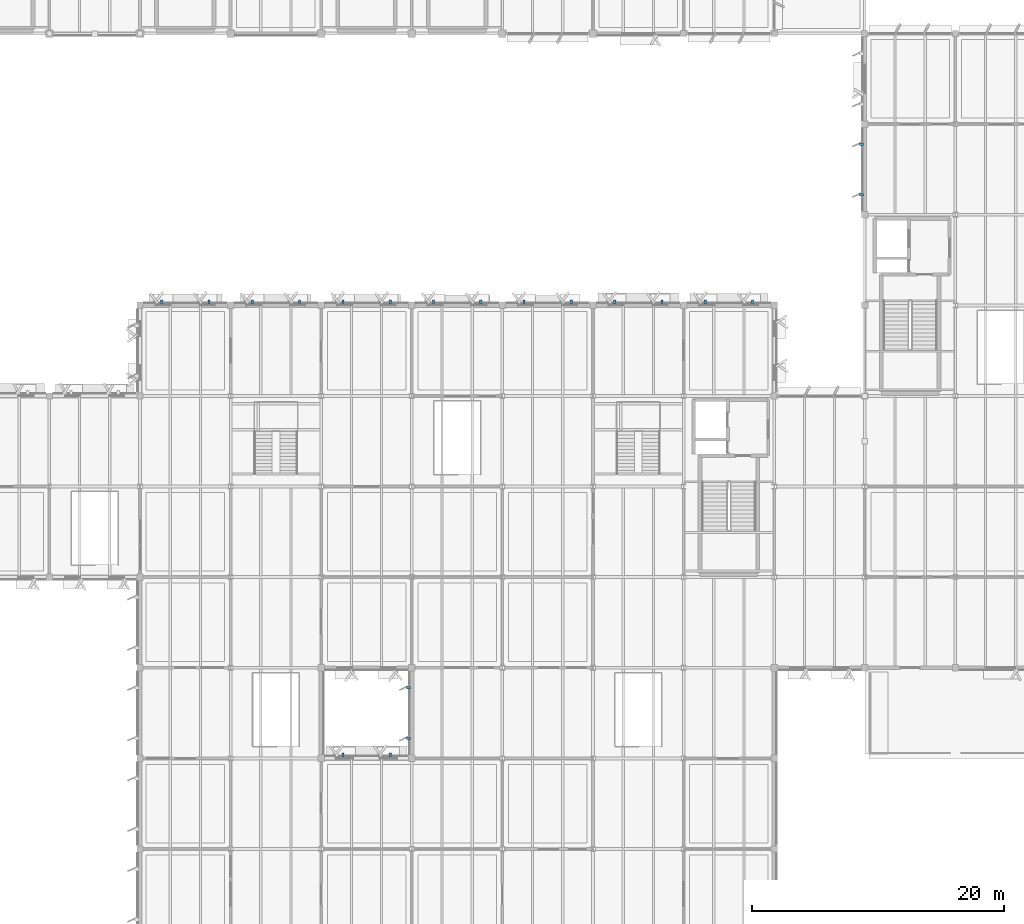
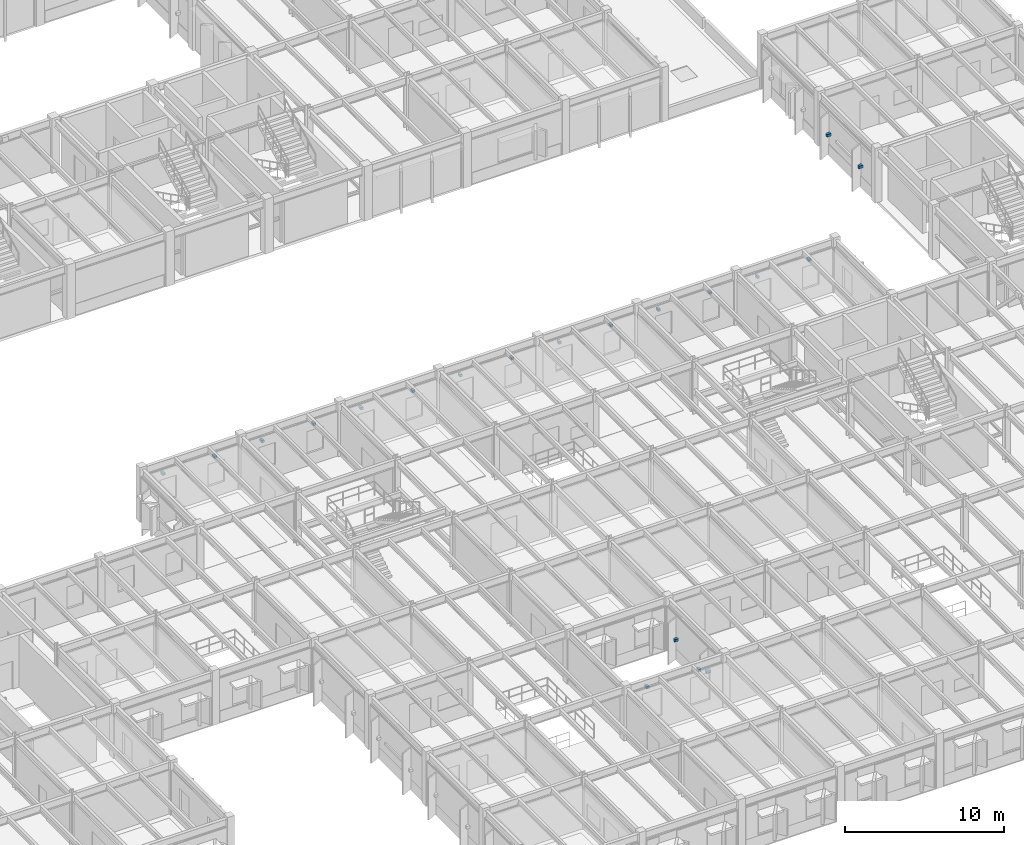
# One storey, part 46 of 85: 20 discrete accessories.
"""IFC4 building model written with IfcOpenShell, lengths in metres."""

from ifc_helpers import new_model, si_unit, direction, frame, origin, origin_2d, place, context, subcontext, project, spatial, rectangle, extrude, material, type_object, element, save


model = new_model("IFC4")

# Units and contexts
model_context = context("Model", 3, precision=1e-05, world=origin(), true_north=direction((0.0, 1.0)))
body_context = subcontext(model_context, "Body", "Model", "MODEL_VIEW")
ifc_project = project(units=[si_unit("LENGTHUNIT", "METRE"), si_unit("AREAUNIT", "SQUARE_METRE"), si_unit("VOLUMEUNIT", "CUBIC_METRE"), si_unit("PLANEANGLEUNIT", "RADIAN"), si_unit("MASSUNIT", "GRAM", prefix="KILO")], contexts=[model_context])

# Site, building, storey
site_placement = place(None, origin())
site = spatial("IfcSite", under=ifc_project, at=site_placement, CompositionType="ELEMENT")
building_placement = place(site_placement, origin())
building = spatial("IfcBuilding", under=site, at=building_placement, Name="Sillqori Civic Hall", CompositionType="ELEMENT")
storey_placement = place(building_placement, frame((0.0, 0.0, 9.89990234375)))
storey = spatial("IfcBuildingStorey", under=building, at=storey_placement, Name="L03", CompositionType="ELEMENT", Elevation=9.89990234375)

# Discrete accessories
ifc_material = material(Name="Steel ASTM A572 Grade 50", Category="steel")
discrete_accessory_type_1 = type_object("IfcDiscreteAccessoryType", Name="BRK-FAC-240", PredefinedType="BRACKET", material=ifc_material)
for number, where, z_axis, x_axis, name in (
    (1, (66.52392578125, 57.8701171875, 2.7001953125), (0.0, 0.0, 1.0), (1.0, 0.0, 0.0), "Sun-hood steel bracket L03-09-07-N.1"),
    (2, (70.27587890625, 57.8701171875, 2.7001953125), (0.0, 0.0, 1.0), (1.0, 0.0, 0.0), "Sun-hood steel bracket L03-09-07-N.2"),
    (3, (73.72412109375, 57.8701171875, 2.7001953125), (0.0, 0.0, 1.0), (1.0, 0.0, 0.0), "Sun-hood steel bracket L03-10-07-N.1"),
    (4, (77.47607421875, 57.8701171875, 2.7001953125), (0.0, 0.0, 1.0), (1.0, 0.0, 0.0), "Sun-hood steel bracket L03-10-07-N.2"),
    (5, (80.924072265625, 21.8701171875, 3.10009765625), (0.0, 0.0, 1.0), (1.0, 0.0, 0.0), "Sun-hood steel bracket L03-11-02-N.1"),
    (6, (84.676025390625, 21.8701171875, 3.10009765625), (0.0, 0.0, 1.0), (1.0, 0.0, 0.0), "Sun-hood steel bracket L03-11-02-N.2"),
    (7, (80.924072265625, 57.8701171875, 2.7001953125), (0.0, 0.0, 1.0), (1.0, 0.0, 0.0), "Sun-hood steel bracket L03-11-07-N.1"),
    (8, (84.676025390625, 57.8701171875, 2.7001953125), (0.0, 0.0, 1.0), (1.0, 0.0, 0.0), "Sun-hood steel bracket L03-11-07-N.2"),
    (9, (88.1240234375, 57.8701171875, 2.7001953125), (0.0, 0.0, 1.0), (1.0, 0.0, 0.0), "Sun-hood steel bracket L03-12-07-N.1"),
    (10, (91.8759765625, 57.8701171875, 2.7001953125), (0.0, 0.0, 1.0), (1.0, 0.0, 0.0), "Sun-hood steel bracket L03-12-07-N.2"),
    (11, (95.323974609375, 57.8701171875, 2.7001953125), (0.0, 0.0, 1.0), (1.0, 0.0, 0.0), "Sun-hood steel bracket L03-13-07-N.1"),
    (12, (99.075927734375, 57.8701171875, 2.7001953125), (0.0, 0.0, 1.0), (1.0, 0.0, 0.0), "Sun-hood steel bracket L03-13-07-N.2"),
    (13, (102.52392578125, 57.8701171875, 2.7001953125), (0.0, 0.0, 1.0), (1.0, 0.0, 0.0), "Sun-hood steel bracket L03-14-07-N.1"),
    (14, (106.27587890625, 57.8701171875, 2.7001953125), (0.0, 0.0, 1.0), (1.0, 0.0, 0.0), "Sun-hood steel bracket L03-14-07-N.2"),
    (15, (109.72412109375, 57.8701171875, 2.7001953125), (0.0, 0.0, 1.0), (1.0, 0.0, 0.0), "Sun-hood steel bracket L03-15-07-N.1"),
    (16, (113.47607421875, 57.8701171875, 2.7001953125), (0.0, 0.0, 1.0), (1.0, 0.0, 0.0), "Sun-hood steel bracket L03-15-07-N.2"),
):
    element("IfcDiscreteAccessory", number, at=place(storey_placement, frame(where, z_axis=z_axis, x_axis=x_axis)), inside=storey, type_object=discrete_accessory_type_1, Name=name, PredefinedType="BRACKET", context=body_context, shape_type="SweptSolid", body=[
        extrude(rectangle(XDim=0.179931640625, YDim=0.280029296875, at=origin_2d()), origin(), (0.0, 0.0, 1.0), 0.179931640625),
    ])
discrete_accessory_type_2 = type_object("IfcDiscreteAccessoryType", Name="BRK-FIN-280", PredefinedType="BRACKET", material=ifc_material)
for number, where, z_axis, x_axis, name in (
    (17, (86.1201171875, 23.18994140625, 1.6435546875), (0.0, 0.0, 1.0), (0.0, 1.0, 0.0), "Brise-soleil fin steel bracket L03-12-03-W.1"),
    (18, (86.1201171875, 27.2099609375, 1.6435546875), (0.0, 0.0, 1.0), (0.0, 1.0, 0.0), "Brise-soleil fin steel bracket L03-12-03-W.2"),
    (19, (122.1298828125, 66.389892578125, 1.6435546875), (0.0, 0.0, 1.0), (0.0, 1.0, 0.0), "Brise-soleil fin steel bracket L03-17-09-W.1"),
    (20, (122.1298828125, 70.409912109375, 1.6435546875), (0.0, 0.0, 1.0), (0.0, 1.0, 0.0), "Brise-soleil fin steel bracket L03-17-09-W.2"),
):
    element("IfcDiscreteAccessory", number, at=place(storey_placement, frame(where, z_axis=z_axis, x_axis=x_axis)), inside=storey, type_object=discrete_accessory_type_2, Name=name, PredefinedType="BRACKET", context=body_context, shape_type="SweptSolid", body=[
        extrude(rectangle(XDim=0.219970703125, YDim=0.320068359375, at=origin_2d()), origin(), (0.0, 0.0, 1.0), 0.199951171875),
    ])

save(model, "model.ifc")
